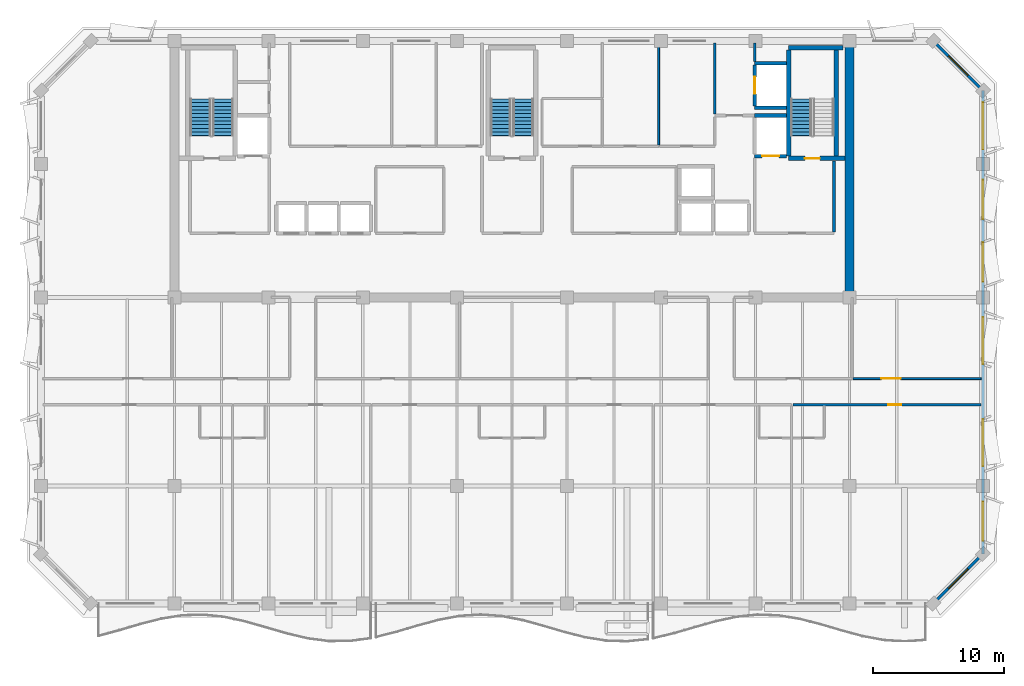
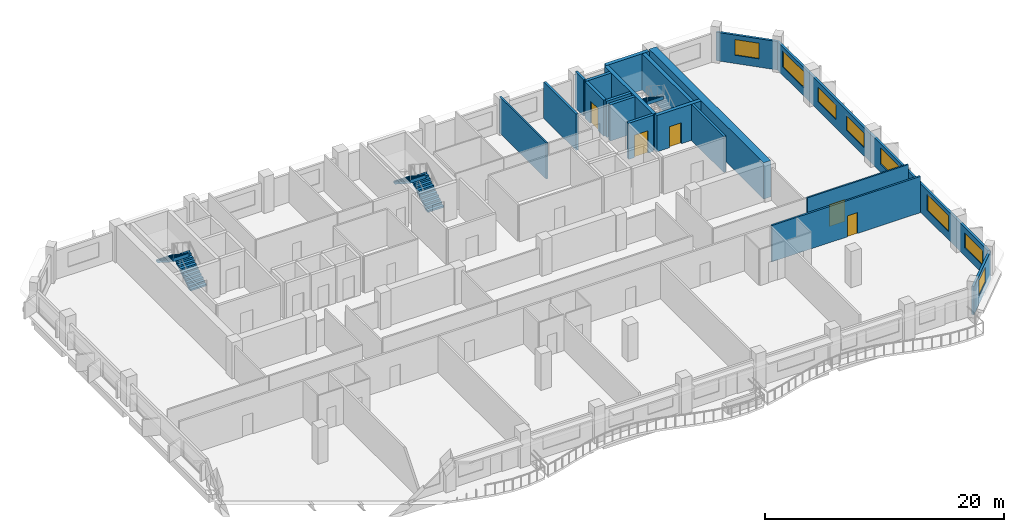
# One storey, part 7 of 11: 19 walls, 8 windows, 5 doors, 5 stair flights, 13 openings, 3 elements without a shape of their own.
"""IFC4 building model written with IfcOpenShell, lengths in metres."""

from ifc_helpers import new_model, si_unit, direction, frame, frame_2d, origin, place, context, subcontext, project, spatial, polyline, rectangle, outline, extrude, material, layer, layer_set, type_object, element, fill, aggregate, save


model = new_model("IFC4")

# Units and contexts
model_context = context("Model", 3, precision=1e-05, world=origin(), true_north=direction((0.0, 1.0)))
body_context = subcontext(model_context, "Body", "Model", "MODEL_VIEW")
ifc_project = project(units=[si_unit("LENGTHUNIT", "METRE"), si_unit("AREAUNIT", "SQUARE_METRE"), si_unit("VOLUMEUNIT", "CUBIC_METRE"), si_unit("PLANEANGLEUNIT", "RADIAN"), si_unit("MASSUNIT", "GRAM", prefix="KILO")], contexts=[model_context])

# Site, building, storey
site_placement = place(None, origin())
site = spatial("IfcSite", under=ifc_project, at=site_placement, CompositionType="ELEMENT")
building_placement = place(site_placement, origin())
building = spatial("IfcBuilding", under=site, at=building_placement, Name="Kaelvorn Grand Hotel", CompositionType="ELEMENT")
storey_placement = place(building_placement, frame((0.0, 0.0, 256.800048828125)))
storey = spatial("IfcBuildingStorey", under=building, at=storey_placement, Name="L63", CompositionType="ELEMENT", Elevation=256.800048828125)

# Wall
ifc_material_1 = material(Name="Concrete C50/60", Category="concrete")
ifc_layer_1 = layer(ifc_material_1, 0.699951171875)
ifc_layer_set_1 = layer_set([ifc_layer_1], Name="Concrete C50/60")
wall_type_1 = type_object("IfcWallType", Name="WL-CORE-700-C50", PredefinedType="SHEAR", material=ifc_layer_set_1)
wall_1_placement = place(storey_placement, frame((67.800048828125, 29.39990234375, 0.0), z_axis=(0.0, 0.0, 1.0), x_axis=(0.0, 1.0, 0.0)))
element("IfcWall", 1, at=wall_1_placement, inside=storey, type_object=wall_type_1, Name="L63 Rear-Core East Shear Wall", PredefinedType="SHEAR", context=body_context, shape_type="SweptSolid", body=[
    extrude(rectangle(XDim=19.2001953125, YDim=0.699951171875, at=frame_2d((9.60009765625, 0.0))), origin(), (0.0, 0.0, 1.0), 3.7099609375),
])

# Wall, opening, window
ifc_material_2 = material(Name="Concrete C40/50", Category="concrete")
ifc_layer_2 = layer(ifc_material_2, 0.219970703125)
ifc_layer_set_2 = layer_set([ifc_layer_2], Name="Concrete C40/50")
wall_type_2 = type_object("IfcWallType", Name="WL-EXT-220-C40", PredefinedType="SOLIDWALL", material=ifc_layer_set_2)
wall_2_placement = place(storey_placement, frame((74.199951171875, 6.0, 0.0), z_axis=(0.0, 0.0, 1.0), x_axis=(0.707106781187, 0.707106781187, 0.0)))
wall_2 = element("IfcWall", 2, at=wall_2_placement, inside=storey, type_object=wall_type_2, Name="L63 Exterior Architectural Concrete Wall 02", PredefinedType="SOLIDWALL", context=body_context, shape_type="SweptSolid", body=[
    extrude(rectangle(XDim=5.3740234375, YDim=0.219970703125, at=frame_2d((2.68701171875, 0.0))), origin(), (0.0, 0.0, 1.0), 2.909912109375),
])
opening_1_placement = place(wall_2_placement, frame((1.636962890625, 0.0, 0.85009765625)))
opening_1 = element("IfcOpeningElement", 3, at=opening_1_placement, cuts=wall_2, Name="Opening W7", PredefinedType="OPENING", context=body_context, shape_type="SweptSolid", body=[
    extrude(rectangle(XDim=2.10009765625, YDim=1.60009765625, at=frame_2d((1.050048828125, 0.800048828125))), frame((0.0, 0.1201171875, 0.0), z_axis=(0.0, -1.0, 0.0), x_axis=(1.0, 0.0, 0.0)), (0.0, 0.0, 1.0), 0.239990234375),
])
ifc_material_3 = material(Name="Laminated Low-E Glass", Category="glass")
window_type_1 = type_object("IfcWindowType", Name="WIN-CHM-2100x1600", PartitioningType="SINGLE_PANEL", PredefinedType="WINDOW", material=ifc_material_3)
window_1_placement = place(opening_1_placement, origin())
window_1 = element("IfcWindow", 4, at=window_1_placement, inside=storey, type_object=window_type_1, Name="L63 Chamfered 45-Degree Corner Window SE", OverallHeight=1.60009765625, OverallWidth=2.10009765625, PartitioningType="SINGLE_PANEL", PredefinedType="WINDOW", context=body_context, shape_type="SweptSolid", body=[
    extrude(rectangle(XDim=2.10009765625, YDim=1.60009765625, at=frame_2d((1.050048828125, 0.800048828125))), frame((0.0, 0.030029296875, 0.0), z_axis=(0.0, -1.0, 0.0), x_axis=(1.0, 0.0, 0.0)), (0.0, 0.0, 1.0), 0.06005859375),
])
fill(opening_1, window_1)

# Wall, openings, windows
wall_3_placement = place(storey_placement, frame((78.0, 9.800048828125, 0.0), z_axis=(0.0, 0.0, 1.0), x_axis=(0.0, 1.0, 0.0)))
wall_3 = element("IfcWall", 5, at=wall_3_placement, inside=storey, type_object=wall_type_2, Name="L63 Exterior Architectural Concrete Wall 03", PredefinedType="SOLIDWALL", context=body_context, shape_type="SweptSolid", body=[
    extrude(rectangle(XDim=35.39990234375, YDim=0.219970703125, at=frame_2d((17.699951171875, 0.0))), origin(), (0.0, 0.0, 1.0), 2.909912109375),
])
opening_2_placement = place(wall_3_placement, frame((0.985107421875, 0.0, 0.85009765625)))
opening_2 = element("IfcOpeningElement", 6, at=opening_2_placement, cuts=wall_3, Name="Opening W5", PredefinedType="OPENING", context=body_context, shape_type="SweptSolid", body=[
    extrude(rectangle(XDim=3.0, YDim=1.5, at=frame_2d((1.5, 0.75))), frame((0.0, 0.1201171875, 0.0), z_axis=(0.0, -1.0, 0.0), x_axis=(1.0, 0.0, 0.0)), (0.0, 0.0, 1.0), 0.239990234375),
])
opening_3_placement = place(wall_3_placement, frame((6.699951171875, 0.0, 0.85009765625)))
opening_3 = element("IfcOpeningElement", 7, at=opening_3_placement, cuts=wall_3, Name="Opening W3", PredefinedType="OPENING", context=body_context, shape_type="SweptSolid", body=[
    extrude(rectangle(XDim=3.60009765625, YDim=1.64990234375, at=frame_2d((1.800048828125, 0.824951171875))), frame((0.0, 0.1201171875, 0.0), z_axis=(0.0, -1.0, 0.0), x_axis=(1.0, 0.0, 0.0)), (0.0, 0.0, 1.0), 0.239990234375),
])
opening_4_placement = place(wall_3_placement, frame((14.5, 0.0, 0.85009765625)))
opening_4 = element("IfcOpeningElement", 8, at=opening_4_placement, cuts=wall_3, Name="Opening W3", PredefinedType="OPENING", context=body_context, shape_type="SweptSolid", body=[
    extrude(rectangle(XDim=3.60009765625, YDim=1.64990234375, at=frame_2d((1.800048828125, 0.824951171875))), frame((0.0, 0.1201171875, 0.0), z_axis=(0.0, -1.0, 0.0), x_axis=(1.0, 0.0, 0.0)), (0.0, 0.0, 1.0), 0.239990234375),
])
opening_5_placement = place(wall_3_placement, frame((20.81494140625, 0.0, 0.85009765625)))
opening_5 = element("IfcOpeningElement", 9, at=opening_5_placement, cuts=wall_3, Name="Opening W5", PredefinedType="OPENING", context=body_context, shape_type="SweptSolid", body=[
    extrude(rectangle(XDim=3.0, YDim=1.5, at=frame_2d((1.5, 0.75))), frame((0.0, 0.1201171875, 0.0), z_axis=(0.0, -1.0, 0.0), x_axis=(1.0, 0.0, 0.0)), (0.0, 0.0, 1.0), 0.239990234375),
])
opening_6_placement = place(wall_3_placement, frame((25.5849609375, 0.0, 0.85009765625)))
opening_6 = element("IfcOpeningElement", 10, at=opening_6_placement, cuts=wall_3, Name="Opening W5", PredefinedType="OPENING", context=body_context, shape_type="SweptSolid", body=[
    extrude(rectangle(XDim=3.0, YDim=1.5, at=frame_2d((1.5, 0.75))), frame((0.0, 0.1201171875, 0.0), z_axis=(0.0, -1.0, 0.0), x_axis=(1.0, 0.0, 0.0)), (0.0, 0.0, 1.0), 0.239990234375),
])
opening_7_placement = place(wall_3_placement, frame((30.9150390625, 0.0, 0.85009765625)))
opening_7 = element("IfcOpeningElement", 11, at=opening_7_placement, cuts=wall_3, Name="Opening W3", PredefinedType="OPENING", context=body_context, shape_type="SweptSolid", body=[
    extrude(rectangle(XDim=3.60009765625, YDim=1.64990234375, at=frame_2d((1.800048828125, 0.824951171875))), frame((0.0, 0.1201171875, 0.0), z_axis=(0.0, -1.0, 0.0), x_axis=(1.0, 0.0, 0.0)), (0.0, 0.0, 1.0), 0.239990234375),
])
window_type_2 = type_object("IfcWindowType", Name="WIN-NTH-3000x1500", PartitioningType="SINGLE_PANEL", PredefinedType="WINDOW", material=ifc_material_3)
window_2_placement = place(opening_2_placement, origin())
window_2 = element("IfcWindow", 12, at=window_2_placement, inside=storey, type_object=window_type_2, Name="L63 E Wing Tilted-Frame Ribbon Window E01", OverallHeight=1.5, OverallWidth=3.0, PartitioningType="SINGLE_PANEL", PredefinedType="WINDOW", context=body_context, shape_type="SweptSolid", body=[
    extrude(rectangle(XDim=3.0, YDim=1.5, at=frame_2d((1.5, 0.75))), frame((0.0, 0.030029296875, 0.0), z_axis=(0.0, -1.0, 0.0), x_axis=(1.0, 0.0, 0.0)), (0.0, 0.0, 1.0), 0.06005859375),
])
fill(opening_2, window_2)
window_3_placement = place(opening_5_placement, origin())
window_3 = element("IfcWindow", 13, at=window_3_placement, inside=storey, type_object=window_type_2, Name="L63 E Wing Tilted-Frame Ribbon Window E04", OverallHeight=1.5, OverallWidth=3.0, PartitioningType="SINGLE_PANEL", PredefinedType="WINDOW", context=body_context, shape_type="SweptSolid", body=[
    extrude(rectangle(XDim=3.0, YDim=1.5, at=frame_2d((1.5, 0.75))), frame((0.0, 0.030029296875, 0.0), z_axis=(0.0, -1.0, 0.0), x_axis=(1.0, 0.0, 0.0)), (0.0, 0.0, 1.0), 0.06005859375),
])
fill(opening_5, window_3)
window_4_placement = place(opening_6_placement, origin())
window_4 = element("IfcWindow", 14, at=window_4_placement, inside=storey, type_object=window_type_2, Name="L63 E Wing Tilted-Frame Ribbon Window E05", OverallHeight=1.5, OverallWidth=3.0, PartitioningType="SINGLE_PANEL", PredefinedType="WINDOW", context=body_context, shape_type="SweptSolid", body=[
    extrude(rectangle(XDim=3.0, YDim=1.5, at=frame_2d((1.5, 0.75))), frame((0.0, 0.030029296875, 0.0), z_axis=(0.0, -1.0, 0.0), x_axis=(1.0, 0.0, 0.0)), (0.0, 0.0, 1.0), 0.06005859375),
])
fill(opening_6, window_4)
window_type_3 = type_object("IfcWindowType", Name="WIN-RIB-3600x1750", PartitioningType="SINGLE_PANEL", PredefinedType="WINDOW", material=ifc_material_3)
window_5_placement = place(opening_3_placement, origin())
window_5 = element("IfcWindow", 15, at=window_5_placement, inside=storey, type_object=window_type_3, Name="L63 E Wing Tilted-Frame Ribbon Window E02", OverallHeight=1.64990234375, OverallWidth=3.60009765625, PartitioningType="SINGLE_PANEL", PredefinedType="WINDOW", context=body_context, shape_type="SweptSolid", body=[
    extrude(rectangle(XDim=3.60009765625, YDim=1.64990234375, at=frame_2d((1.800048828125, 0.824951171875))), frame((0.0, 0.030029296875, 0.0), z_axis=(0.0, -1.0, 0.0), x_axis=(1.0, 0.0, 0.0)), (0.0, 0.0, 1.0), 0.06005859375),
])
fill(opening_3, window_5)
window_6_placement = place(opening_4_placement, origin())
window_6 = element("IfcWindow", 16, at=window_6_placement, inside=storey, type_object=window_type_3, Name="L63 E Wing Tilted-Frame Ribbon Window E03", OverallHeight=1.64990234375, OverallWidth=3.60009765625, PartitioningType="SINGLE_PANEL", PredefinedType="WINDOW", context=body_context, shape_type="SweptSolid", body=[
    extrude(rectangle(XDim=3.60009765625, YDim=1.64990234375, at=frame_2d((1.800048828125, 0.824951171875))), frame((0.0, 0.030029296875, 0.0), z_axis=(0.0, -1.0, 0.0), x_axis=(1.0, 0.0, 0.0)), (0.0, 0.0, 1.0), 0.06005859375),
])
fill(opening_4, window_6)
window_7_placement = place(opening_7_placement, origin())
window_7 = element("IfcWindow", 17, at=window_7_placement, inside=storey, type_object=window_type_3, Name="L63 E Wing Tilted-Frame Ribbon Window E06", OverallHeight=1.64990234375, OverallWidth=3.60009765625, PartitioningType="SINGLE_PANEL", PredefinedType="WINDOW", context=body_context, shape_type="SweptSolid", body=[
    extrude(rectangle(XDim=3.60009765625, YDim=1.64990234375, at=frame_2d((1.800048828125, 0.824951171875))), frame((0.0, 0.030029296875, 0.0), z_axis=(0.0, -1.0, 0.0), x_axis=(1.0, 0.0, 0.0)), (0.0, 0.0, 1.0), 0.06005859375),
])
fill(opening_7, window_7)

# Wall, opening, window
wall_4_placement = place(storey_placement, frame((78.0, 45.199951171875, 0.0), z_axis=(0.0, 0.0, 1.0), x_axis=(-0.707106781187, 0.707106781187, 0.0)))
wall_4 = element("IfcWall", 18, at=wall_4_placement, inside=storey, type_object=wall_type_2, Name="L63 Exterior Architectural Concrete Wall 04", PredefinedType="SOLIDWALL", context=body_context, shape_type="SweptSolid", body=[
    extrude(rectangle(XDim=5.3740234375, YDim=0.219970703125, at=frame_2d((2.68701171875, 0.0))), origin(), (0.0, 0.0, 1.0), 2.909912109375),
])
opening_8_placement = place(wall_4_placement, frame((1.636962890625, 0.0, 0.85009765625)))
opening_8 = element("IfcOpeningElement", 19, at=opening_8_placement, cuts=wall_4, Name="Opening W7", PredefinedType="OPENING", context=body_context, shape_type="SweptSolid", body=[
    extrude(rectangle(XDim=2.10009765625, YDim=1.60009765625, at=frame_2d((1.050048828125, 0.800048828125))), frame((0.0, 0.1201171875, 0.0), z_axis=(0.0, -1.0, 0.0), x_axis=(1.0, 0.0, 0.0)), (0.0, 0.0, 1.0), 0.239990234375),
])
window_8_placement = place(opening_8_placement, origin())
window_8 = element("IfcWindow", 20, at=window_8_placement, inside=storey, type_object=window_type_1, Name="L63 Chamfered 45-Degree Corner Window NE", OverallHeight=1.60009765625, OverallWidth=2.10009765625, PartitioningType="SINGLE_PANEL", PredefinedType="WINDOW", context=body_context, shape_type="SweptSolid", body=[
    extrude(rectangle(XDim=2.10009765625, YDim=1.60009765625, at=frame_2d((1.050048828125, 0.800048828125))), frame((0.0, 0.030029296875, 0.0), z_axis=(0.0, -1.0, 0.0), x_axis=(1.0, 0.0, 0.0)), (0.0, 0.0, 1.0), 0.06005859375),
])
fill(opening_8, window_8)

# Wall
ifc_material_4 = material(Name="Acoustic Gypsum & Stud Partition")
ifc_layer_3 = layer(ifc_material_4, 0.14990234375)
ifc_layer_set_3 = layer_set([ifc_layer_3], Name="Acoustic Gypsum & Stud Partition")
wall_type_3 = type_object("IfcWallType", Name="WL-PART-150-EI60", PredefinedType="PARTITIONING", material=ifc_layer_set_3)
wall_5_placement = place(storey_placement, frame((53.199951171875, 41.030029296875, 0.0), z_axis=(0.0, 0.0, 1.0), x_axis=(0.0, 1.0, 0.0)))
element("IfcWall", 21, at=wall_5_placement, inside=storey, type_object=wall_type_3, Name="L63 Minibar & Glassware Store E Partition", PredefinedType="PARTITIONING", context=body_context, shape_type="SweptSolid", body=[
    extrude(rectangle(XDim=7.820068359375, YDim=0.14990234375, at=frame_2d((3.91015625, 0.0))), origin(), (0.0, 0.0, 1.0), 3.7099609375),
])

# Wall, opening, door
wall_6_placement = place(storey_placement, frame((68.080078125, 23.199951171875, 0.0), z_axis=(0.0, 0.0, 1.0), x_axis=(1.0, 0.0, 0.0)))
wall_6 = element("IfcWall", 22, at=wall_6_placement, inside=storey, type_object=wall_type_3, Name="L63 East Sky Reading Library Lounge S Partition", PredefinedType="PARTITIONING", context=body_context, shape_type="SweptSolid", body=[
    extrude(rectangle(XDim=9.77001953125, YDim=0.14990234375, at=frame_2d((4.885009765625, 0.0))), origin(), (0.0, 0.0, 1.0), 3.7099609375),
])
opening_9_placement = place(wall_6_placement, frame((2.139892578125, 0.0, 0.0)))
opening_9 = element("IfcOpeningElement", 23, at=opening_9_placement, cuts=wall_6, Name="Opening DI5", PredefinedType="OPENING", context=body_context, shape_type="SweptSolid", body=[
    extrude(rectangle(XDim=1.5, YDim=2.25, at=frame_2d((0.75, 1.125))), frame((0.0, 0.0849609375, 0.0), z_axis=(0.0, -1.0, 0.0), x_axis=(1.0, 0.0, 0.0)), (0.0, 0.0, 1.0), 0.169921875),
])
ifc_material_5 = material(Name="Timber Veneer Fire Leaf", Category="wood")
door_type_1 = type_object("IfcDoorType", Name="DR-INT-SALON-1500x2250", OperationType="DOUBLE_DOOR_SINGLE_SWING", PredefinedType="DOOR", material=ifc_material_5)
door_1_placement = place(opening_9_placement, origin())
door_1 = element("IfcDoor", 24, at=door_1_placement, inside=storey, type_object=door_type_1, Name="L63 East Sky Reading Library Lounge Door", OperationType="DOUBLE_DOOR_SINGLE_SWING", OverallHeight=2.25, OverallWidth=1.5, PredefinedType="DOOR", context=body_context, shape_type="SweptSolid", body=[
    extrude(rectangle(XDim=1.5, YDim=2.25, at=frame_2d((0.75, 1.125))), frame((0.0, 0.02490234375, 0.0), z_axis=(0.0, -1.0, 0.0), x_axis=(1.0, 0.0, 0.0)), (0.0, 0.0, 1.0), 0.050048828125),
])
fill(opening_9, door_1)

ifc_layer_4 = layer(ifc_material_4, 0.179931640625)
ifc_layer_set_4 = layer_set([ifc_layer_4], Name="Acoustic Gypsum & Stud Partition")
wall_type_4 = type_object("IfcWallType", Name="WL-PART-180-EI60", PredefinedType="PARTITIONING", material=ifc_layer_set_4)
wall_7_placement = place(storey_placement, frame((63.461669921875, 21.199951171875, 0.0), z_axis=(0.0, 0.0, 1.0), x_axis=(1.0, 0.0, 0.0)))
wall_7 = element("IfcWall", 25, at=wall_7_placement, inside=storey, type_object=wall_type_4, Name="L63 Ambassador Junior Suite L63-06 N Partition", PredefinedType="PARTITIONING", context=body_context, shape_type="SweptSolid", body=[
    extrude(rectangle(XDim=14.388427734375, YDim=0.179931640625, at=frame_2d((7.1943359375, 0.0))), origin(), (0.0, 0.0, 1.0), 3.7099609375),
])
opening_10_placement = place(wall_7_placement, frame((7.303466796875, 0.0, 0.0)))
opening_10 = element("IfcOpeningElement", 26, at=opening_10_placement, cuts=wall_7, Name="Opening DI3", PredefinedType="OPENING", context=body_context, shape_type="SweptSolid", body=[
    extrude(rectangle(XDim=1.0, YDim=2.14990234375, at=frame_2d((0.5, 1.074951171875))), frame((0.0, 0.10009765625, 0.0), z_axis=(0.0, -1.0, 0.0), x_axis=(1.0, 0.0, 0.0)), (0.0, 0.0, 1.0), 0.199951171875),
])
door_type_2 = type_object("IfcDoorType", Name="DR-INT-GUEST-1000x2150", OperationType="NOTDEFINED", PredefinedType="DOOR", material=ifc_material_5)
door_2_placement = place(opening_10_placement, origin())
door_2 = element("IfcDoor", 27, at=door_2_placement, inside=storey, type_object=door_type_2, Name="L63 Ambassador Junior Suite L63-06 Door", OperationType="SINGLE_SWING_RIGHT", OverallHeight=2.14990234375, OverallWidth=1.0, PredefinedType="DOOR", context=body_context, shape_type="SweptSolid", body=[
    extrude(rectangle(XDim=1.0, YDim=2.14990234375, at=frame_2d((0.5, 1.074951171875))), frame((0.0, 0.02490234375, 0.0), z_axis=(0.0, -1.0, 0.0), x_axis=(1.0, 0.0, 0.0)), (0.0, 0.0, 1.0), 0.050048828125),
])
fill(opening_10, door_2)

# Walls
ifc_layer_5 = layer(ifc_material_2, 0.219970703125)
ifc_layer_set_5 = layer_set([ifc_layer_5], Name="Concrete C40/50")
wall_type_5 = type_object("IfcWallType", Name="WL-PART-220-EI120", PredefinedType="PARTITIONING", material=ifc_layer_set_5)
wall_8_placement = place(storey_placement, frame((66.60009765625, 34.4150390625, 0.0), z_axis=(0.0, 0.0, 1.0), x_axis=(0.0, 1.0, 0.0)))
element("IfcWall", 28, at=wall_8_placement, inside=storey, type_object=wall_type_5, Name="L63 Firefighting Lift Lobby 2 E Partition", PredefinedType="PARTITIONING", context=body_context, shape_type="SweptSolid", body=[
    extrude(rectangle(XDim=5.429931640625, YDim=0.219970703125, at=frame_2d((2.71484375, 0.0))), origin(), (0.0, 0.0, 1.0), 3.7099609375),
])
wall_9_placement = place(storey_placement, frame((57.5, 43.4150390625, 0.0), z_axis=(0.0, 0.0, 1.0), x_axis=(0.0, 1.0, 0.0)))
element("IfcWall", 29, at=wall_9_placement, inside=storey, type_object=wall_type_5, Name="L63 Service Lift Lobby W Partition", PredefinedType="PARTITIONING", context=body_context, shape_type="SweptSolid", body=[
    extrude(rectangle(XDim=5.43505859375, YDim=0.219970703125, at=frame_2d((2.717529296875, 0.0))), origin(), (0.0, 0.0, 1.0), 3.7099609375),
])
wall_10_placement = place(storey_placement, frame((60.550048828125, 47.445068359375, 0.0), z_axis=(0.0, 0.0, 1.0), x_axis=(0.0, 1.0, 0.0)))
element("IfcWall", 30, at=wall_10_placement, inside=storey, type_object=wall_type_5, Name="L63 Service Lift Lobby E Partition", PredefinedType="PARTITIONING", context=body_context, shape_type="SweptSolid", body=[
    extrude(rectangle(XDim=1.405029296875, YDim=0.219970703125, at=frame_2d((0.70263671875, 0.0))), origin(), (0.0, 0.0, 1.0), 3.7099609375),
])

# Wall, opening, door
ifc_layer_6 = layer(ifc_material_1, 0.280029296875)
ifc_layer_set_6 = layer_set([ifc_layer_6], Name="Concrete C50/60")
wall_type_6 = type_object("IfcWallType", Name="WL-SHAFT-280-C50", PredefinedType="SHEAR", material=ifc_layer_set_6)
wall_11_placement = place(storey_placement, frame((60.550048828125, 40.199951171875, 0.0), z_axis=(0.0, 0.0, 1.0), x_axis=(1.0, 0.0, 0.0)))
wall_11 = element("IfcWall", 31, at=wall_11_placement, inside=storey, type_object=wall_type_6, Name="L63 Lift FFL2 Shaft South Wall", PredefinedType="SHEAR", context=body_context, shape_type="SweptSolid", body=[
    extrude(rectangle(XDim=2.4150390625, YDim=0.280029296875, at=frame_2d((1.20751953125, 0.0))), origin(), (0.0, 0.0, 1.0), 3.7099609375),
])
opening_11_placement = place(wall_11_placement, frame((0.574951171875, 0.0, 0.0)))
opening_11 = element("IfcOpeningElement", 32, at=opening_11_placement, cuts=wall_11, Name="Opening LD-FFL2", PredefinedType="OPENING", context=body_context, shape_type="SweptSolid", body=[
    extrude(rectangle(XDim=1.300048828125, YDim=2.300048828125, at=frame_2d((0.64990234375, 1.14990234375))), frame((0.0, 0.14990234375, 0.0), z_axis=(0.0, -1.0, 0.0), x_axis=(1.0, 0.0, 0.0)), (0.0, 0.0, 1.0), 0.300048828125),
])
ifc_material_6 = material(Name="Stainless Steel", Category="steel")
door_type_3 = type_object("IfcDoorType", Name="DR-LIFT-SERV-1300x2300", OperationType="DOUBLE_DOOR_SLIDING", PredefinedType="DOOR", material=ifc_material_6)
door_3_placement = place(opening_11_placement, origin())
door_3 = element("IfcDoor", 33, at=door_3_placement, inside=storey, type_object=door_type_3, Name="L63 Lift FFL2 Sliding Landing Door LD-FFL2", OperationType="DOUBLE_DOOR_SLIDING", OverallHeight=2.300048828125, OverallWidth=1.300048828125, PredefinedType="DOOR", context=body_context, shape_type="SweptSolid", body=[
    extrude(rectangle(XDim=1.300048828125, YDim=2.300048828125, at=frame_2d((0.64990234375, 1.14990234375))), frame((0.0, 0.02490234375, 0.0), z_axis=(0.0, -1.0, 0.0), x_axis=(1.0, 0.0, 0.0)), (0.0, 0.0, 1.0), 0.050048828125),
])
fill(opening_11, door_3)

# Walls
for number, where, z_axis, x_axis, name in (
    (34, (60.550048828125, 43.300048828125, 0.0), (0.0, 0.0, 1.0), (1.0, 0.0, 0.0), "L63 Lift FFL2 Shaft North Wall"),
    (35, (60.550048828125, 43.89990234375, 0.0), (0.0, 0.0, 1.0), (1.0, 0.0, 0.0), "L63 Lift SV1 Shaft South Wall"),
    (36, (60.550048828125, 47.300048828125, 0.0), (0.0, 0.0, 1.0), (1.0, 0.0, 0.0), "L63 Lift SV1 Shaft North Wall"),
):
    element("IfcWall", number, at=place(storey_placement, frame(where, z_axis=z_axis, x_axis=x_axis)), inside=storey, type_object=wall_type_6, Name=name, PredefinedType="SHEAR", context=body_context, shape_type="SweptSolid", body=[
        extrude(rectangle(XDim=2.4150390625, YDim=0.280029296875, at=frame_2d((1.20751953125, 0.0))), origin(), (0.0, 0.0, 1.0), 3.7099609375),
    ])

# Wall, opening, door
wall_12_placement = place(storey_placement, frame((60.550048828125, 44.044921875, 0.0), z_axis=(0.0, 0.0, 1.0), x_axis=(0.0, 1.0, 0.0)))
wall_12 = element("IfcWall", 37, at=wall_12_placement, inside=storey, type_object=wall_type_6, Name="L63 Lift SV1 Shaft West Wall", PredefinedType="SHEAR", context=body_context, shape_type="SweptSolid", body=[
    extrude(rectangle(XDim=3.110107421875, YDim=0.280029296875, at=frame_2d((1.55517578125, 0.0))), origin(), (0.0, 0.0, 1.0), 3.7099609375),
])
opening_12_placement = place(wall_12_placement, frame((0.905029296875, 0.0, 0.0)))
opening_12 = element("IfcOpeningElement", 38, at=opening_12_placement, cuts=wall_12, Name="Opening LD-SV1", PredefinedType="OPENING", context=body_context, shape_type="SweptSolid", body=[
    extrude(rectangle(XDim=1.300048828125, YDim=2.300048828125, at=frame_2d((0.64990234375, 1.14990234375))), frame((0.0, 0.14990234375, 0.0), z_axis=(0.0, -1.0, 0.0), x_axis=(1.0, 0.0, 0.0)), (0.0, 0.0, 1.0), 0.300048828125),
])
door_4_placement = place(opening_12_placement, origin())
door_4 = element("IfcDoor", 39, at=door_4_placement, inside=storey, type_object=door_type_3, Name="L63 Lift SV1 Sliding Landing Door LD-SV1", OperationType="DOUBLE_DOOR_SLIDING", OverallHeight=2.300048828125, OverallWidth=1.300048828125, PredefinedType="DOOR", context=body_context, shape_type="SweptSolid", body=[
    extrude(rectangle(XDim=1.300048828125, YDim=2.300048828125, at=frame_2d((0.64990234375, 1.14990234375))), frame((0.0, 0.02490234375, 0.0), z_axis=(0.0, -1.0, 0.0), x_axis=(1.0, 0.0, 0.0)), (0.0, 0.0, 1.0), 0.050048828125),
])
fill(opening_12, door_4)

ifc_material_7 = material(Name="Concrete C60/75", Category="concrete")
ifc_layer_7 = layer(ifc_material_7, 0.35009765625)
ifc_layer_set_7 = layer_set([ifc_layer_7], Name="Concrete C60/75")
wall_type_7 = type_object("IfcWallType", Name="WL-SHAFT-350-C60", PredefinedType="SHEAR", material=ifc_layer_set_7)
wall_13_placement = place(storey_placement, frame((63.14501953125, 40.02490234375, 0.0), z_axis=(0.0, 0.0, 1.0), x_axis=(1.0, 0.0, 0.0)))
wall_13 = element("IfcWall", 40, at=wall_13_placement, inside=storey, type_object=wall_type_7, Name="L63 ST3 Stair Shaft South Wall", PredefinedType="SHEAR", context=body_context, shape_type="SweptSolid", body=[
    extrude(rectangle(XDim=4.300048828125, YDim=0.35009765625, at=frame_2d((2.14990234375, 0.0))), origin(), (0.0, 0.0, 1.0), 3.7099609375),
])
opening_13_placement = place(wall_13_placement, frame((1.239990234375, 0.0, 0.0)))
opening_13 = element("IfcOpeningElement", 41, at=opening_13_placement, cuts=wall_13, Name="Opening DI1", PredefinedType="OPENING", context=body_context, shape_type="SweptSolid", body=[
    extrude(rectangle(XDim=1.14990234375, YDim=2.14990234375, at=frame_2d((0.574951171875, 1.074951171875))), frame((0.0, 0.18505859375, 0.0), z_axis=(0.0, -1.0, 0.0), x_axis=(1.0, 0.0, 0.0)), (0.0, 0.0, 1.0), 0.3701171875),
])
door_type_4 = type_object("IfcDoorType", Name="DR-INT-STAIR-1150x2150", OperationType="NOTDEFINED", PredefinedType="DOOR", material=ifc_material_5)
door_5_placement = place(opening_13_placement, origin())
door_5 = element("IfcDoor", 42, at=door_5_placement, inside=storey, type_object=door_type_4, Name="L63 ST3 Exit Stair Fire Door", OperationType="SINGLE_SWING_LEFT", OverallHeight=2.14990234375, OverallWidth=1.14990234375, PredefinedType="DOOR", context=body_context, shape_type="SweptSolid", body=[
    extrude(rectangle(XDim=1.14990234375, YDim=2.14990234375, at=frame_2d((0.574951171875, 1.074951171875))), frame((0.0, 0.02490234375, 0.0), z_axis=(0.0, -1.0, 0.0), x_axis=(1.0, 0.0, 0.0)), (0.0, 0.0, 1.0), 0.050048828125),
])
fill(opening_13, door_5)

# Walls
wall_14_placement = place(storey_placement, frame((63.14501953125, 48.47509765625, 0.0), z_axis=(0.0, 0.0, 1.0), x_axis=(1.0, 0.0, 0.0)))
element("IfcWall", 43, at=wall_14_placement, inside=storey, type_object=wall_type_7, Name="L63 ST3 Stair Shaft North Wall", PredefinedType="SHEAR", context=body_context, shape_type="SweptSolid", body=[
    extrude(rectangle(XDim=4.14990234375, YDim=0.35009765625, at=frame_2d((2.074951171875, 0.0))), origin(), (0.0, 0.0, 1.0), 3.7099609375),
])
for number, where, z_axis, x_axis, name in (
    (44, (63.14501953125, 40.205078125, 0.0), (0.0, 0.0, 1.0), (0.0, 1.0, 0.0), "L63 ST3 Stair Shaft West Wall"),
    (45, (66.77490234375, 40.205078125, 0.0), (0.0, 0.0, 1.0), (0.0, 1.0, 0.0), "L63 ST3 Stair Shaft East Wall"),
):
    element("IfcWall", number, at=place(storey_placement, frame(where, z_axis=z_axis, x_axis=x_axis)), inside=storey, type_object=wall_type_7, Name=name, PredefinedType="SHEAR", context=body_context, shape_type="SweptSolid", body=[
        extrude(rectangle(XDim=8.08984375, YDim=0.35009765625, at=frame_2d((4.044921875, 0.0))), origin(), (0.0, 0.0, 1.0), 3.7099609375),
    ])

# Stair, stair flights
stair_type = type_object("IfcStairType", Name="STR-DOG-1560-R09", PredefinedType="HALF_TURN_STAIR", material=ifc_material_2)
stair_1_placement = place(storey_placement, origin())
stair_1 = element("IfcStair", 46, at=stair_1_placement, inside=storey, type_object=stair_type, Name="L63 West Core Exit Stair ST1", PredefinedType="HALF_TURN_STAIR")
stair_flight_type = type_object("IfcStairFlightType", Name="FLG-DOG-1560-R09", PredefinedType="STRAIGHT", material=ifc_material_2)
stair_flight_1_placement = place(storey_placement, frame((19.89990234375, 41.760009765625, 0.0), z_axis=(0.0, 0.0, 1.0), x_axis=(0.0, 1.0, 0.0)))
stair_flight_1 = element("IfcStairFlight", 47, at=stair_flight_1_placement, type_object=stair_flight_type, Name="ST1 flight 1", NumberOfRisers=11, NumberOfTreads=10, PredefinedType="STRAIGHT", RiserHeight=0.179545455, TreadLength=0.28, context=body_context, shape_type="SweptSolid", body=[
    extrude(outline(polyline([(-0.0048828125, 0.0), (-0.0048828125, 0.0400390625), (0.0, 0.179443359375), (0.280029296875, 0.179443359375), (0.280029296875, 0.359130859375), (0.56005859375, 0.359130859375), (0.56005859375, 0.53857421875), (0.840087890625, 0.53857421875), (0.840087890625, 0.71826171875), (1.1201171875, 0.71826171875), (1.1201171875, 0.897705078125), (1.39990234375, 0.897705078125), (1.39990234375, 1.077392578125), (1.679931640625, 1.077392578125), (1.679931640625, 1.2568359375), (1.9599609375, 1.2568359375), (1.9599609375, 1.436279296875), (2.239990234375, 1.436279296875), (2.239990234375, 1.615966796875), (2.52001953125, 1.615966796875), (2.52001953125, 1.79541015625), (2.800048828125, 1.79541015625), (2.800048828125, 1.97509765625), (2.804931640625, 1.97509765625), (2.804931640625, 1.617431640625), (0.277587890625, 0.0), (-0.0048828125, 0.0)])), frame((0.0, 0.780029296875, 0.0), z_axis=(0.0, -1.0, 0.0), x_axis=(1.0, 0.0, 0.0)), (0.0, 0.0, 1.0), 1.56005859375),
])
stair_flight_2_placement = place(storey_placement, frame((18.179931640625, 44.56005859375, 1.974853515625), z_axis=(0.0, 0.0, 1.0), x_axis=(0.0, -1.0, 0.0)))
stair_flight_2 = element("IfcStairFlight", 48, at=stair_flight_2_placement, type_object=stair_flight_type, Name="ST1 flight 2", NumberOfRisers=11, NumberOfTreads=10, PredefinedType="STRAIGHT", RiserHeight=0.179545455, TreadLength=0.28, context=body_context, shape_type="SweptSolid", body=[
    extrude(outline(polyline([(-0.0048828125, 0.0), (-0.0048828125, 0.0400390625), (0.0, 0.179443359375), (0.280029296875, 0.179443359375), (0.280029296875, 0.359130859375), (0.56005859375, 0.359130859375), (0.56005859375, 0.53857421875), (0.840087890625, 0.53857421875), (0.840087890625, 0.71826171875), (1.1201171875, 0.71826171875), (1.1201171875, 0.897705078125), (1.39990234375, 0.897705078125), (1.39990234375, 1.077392578125), (1.679931640625, 1.077392578125), (1.679931640625, 1.2568359375), (1.9599609375, 1.2568359375), (1.9599609375, 1.436279296875), (2.239990234375, 1.436279296875), (2.239990234375, 1.615966796875), (2.52001953125, 1.615966796875), (2.52001953125, 1.79541015625), (2.800048828125, 1.79541015625), (2.800048828125, 1.97509765625), (2.804931640625, 1.97509765625), (2.804931640625, 1.617431640625), (0.277587890625, 0.0), (-0.0048828125, 0.0)])), frame((0.0, 0.780029296875, 0.0), z_axis=(0.0, -1.0, 0.0), x_axis=(1.0, 0.0, 0.0)), (0.0, 0.0, 1.0), 1.56005859375),
])
aggregate(stair_1, [stair_flight_1, stair_flight_2])

stair_2_placement = place(storey_placement, origin())
stair_2 = element("IfcStair", 49, at=stair_2_placement, inside=storey, type_object=stair_type, Name="L63 Central Core Exit Stair ST2", PredefinedType="HALF_TURN_STAIR")
stair_flight_3_placement = place(storey_placement, frame((42.860107421875, 41.760009765625, 0.0), z_axis=(0.0, 0.0, 1.0), x_axis=(0.0, 1.0, 0.0)))
stair_flight_3 = element("IfcStairFlight", 50, at=stair_flight_3_placement, type_object=stair_flight_type, Name="ST2 flight 1", NumberOfRisers=11, NumberOfTreads=10, PredefinedType="STRAIGHT", RiserHeight=0.179545455, TreadLength=0.28, context=body_context, shape_type="SweptSolid", body=[
    extrude(outline(polyline([(-0.0048828125, 0.0), (-0.0048828125, 0.0400390625), (0.0, 0.179443359375), (0.280029296875, 0.179443359375), (0.280029296875, 0.359130859375), (0.56005859375, 0.359130859375), (0.56005859375, 0.53857421875), (0.840087890625, 0.53857421875), (0.840087890625, 0.71826171875), (1.1201171875, 0.71826171875), (1.1201171875, 0.897705078125), (1.39990234375, 0.897705078125), (1.39990234375, 1.077392578125), (1.679931640625, 1.077392578125), (1.679931640625, 1.2568359375), (1.9599609375, 1.2568359375), (1.9599609375, 1.436279296875), (2.239990234375, 1.436279296875), (2.239990234375, 1.615966796875), (2.52001953125, 1.615966796875), (2.52001953125, 1.79541015625), (2.800048828125, 1.79541015625), (2.800048828125, 1.97509765625), (2.804931640625, 1.97509765625), (2.804931640625, 1.617431640625), (0.277587890625, 0.0), (-0.0048828125, 0.0)])), frame((0.0, 0.780029296875, 0.0), z_axis=(0.0, -1.0, 0.0), x_axis=(1.0, 0.0, 0.0)), (0.0, 0.0, 1.0), 1.56005859375),
])
stair_flight_4_placement = place(storey_placement, frame((41.139892578125, 44.56005859375, 1.974853515625), z_axis=(0.0, 0.0, 1.0), x_axis=(0.0, -1.0, 0.0)))
stair_flight_4 = element("IfcStairFlight", 51, at=stair_flight_4_placement, type_object=stair_flight_type, Name="ST2 flight 2", NumberOfRisers=11, NumberOfTreads=10, PredefinedType="STRAIGHT", RiserHeight=0.179545455, TreadLength=0.28, context=body_context, shape_type="SweptSolid", body=[
    extrude(outline(polyline([(-0.0048828125, 0.0), (-0.0048828125, 0.0400390625), (0.0, 0.179443359375), (0.280029296875, 0.179443359375), (0.280029296875, 0.359130859375), (0.56005859375, 0.359130859375), (0.56005859375, 0.53857421875), (0.840087890625, 0.53857421875), (0.840087890625, 0.71826171875), (1.1201171875, 0.71826171875), (1.1201171875, 0.897705078125), (1.39990234375, 0.897705078125), (1.39990234375, 1.077392578125), (1.679931640625, 1.077392578125), (1.679931640625, 1.2568359375), (1.9599609375, 1.2568359375), (1.9599609375, 1.436279296875), (2.239990234375, 1.436279296875), (2.239990234375, 1.615966796875), (2.52001953125, 1.615966796875), (2.52001953125, 1.79541015625), (2.800048828125, 1.79541015625), (2.800048828125, 1.97509765625), (2.804931640625, 1.97509765625), (2.804931640625, 1.617431640625), (0.277587890625, 0.0), (-0.0048828125, 0.0)])), frame((0.0, 0.780029296875, 0.0), z_axis=(0.0, -1.0, 0.0), x_axis=(1.0, 0.0, 0.0)), (0.0, 0.0, 1.0), 1.56005859375),
])
aggregate(stair_2, [stair_flight_3, stair_flight_4])

# Stair, stair flight
stair_3_placement = place(storey_placement, origin())
stair_3 = element("IfcStair", 52, at=stair_3_placement, inside=storey, type_object=stair_type, Name="L63 East Core Exit Stair ST3", PredefinedType="HALF_TURN_STAIR")
stair_flight_5_placement = place(storey_placement, frame((64.10009765625, 44.56005859375, 1.974853515625), z_axis=(0.0, 0.0, 1.0), x_axis=(0.0, -1.0, 0.0)))
stair_flight_5 = element("IfcStairFlight", 53, at=stair_flight_5_placement, type_object=stair_flight_type, Name="ST3 flight 2", NumberOfRisers=11, NumberOfTreads=10, PredefinedType="STRAIGHT", RiserHeight=0.179545455, TreadLength=0.28, context=body_context, shape_type="SweptSolid", body=[
    extrude(outline(polyline([(-0.0048828125, 0.0), (-0.0048828125, 0.0400390625), (0.0, 0.179443359375), (0.280029296875, 0.179443359375), (0.280029296875, 0.359130859375), (0.56005859375, 0.359130859375), (0.56005859375, 0.53857421875), (0.840087890625, 0.53857421875), (0.840087890625, 0.71826171875), (1.1201171875, 0.71826171875), (1.1201171875, 0.897705078125), (1.39990234375, 0.897705078125), (1.39990234375, 1.077392578125), (1.679931640625, 1.077392578125), (1.679931640625, 1.2568359375), (1.9599609375, 1.2568359375), (1.9599609375, 1.436279296875), (2.239990234375, 1.436279296875), (2.239990234375, 1.615966796875), (2.52001953125, 1.615966796875), (2.52001953125, 1.79541015625), (2.800048828125, 1.79541015625), (2.800048828125, 1.97509765625), (2.804931640625, 1.97509765625), (2.804931640625, 1.617431640625), (0.277587890625, 0.0), (-0.0048828125, 0.0)])), frame((0.0, 0.780029296875, 0.0), z_axis=(0.0, -1.0, 0.0), x_axis=(1.0, 0.0, 0.0)), (0.0, 0.0, 1.0), 1.56005859375),
])
aggregate(stair_3, [stair_flight_5])

save(model, "model.ifc")
